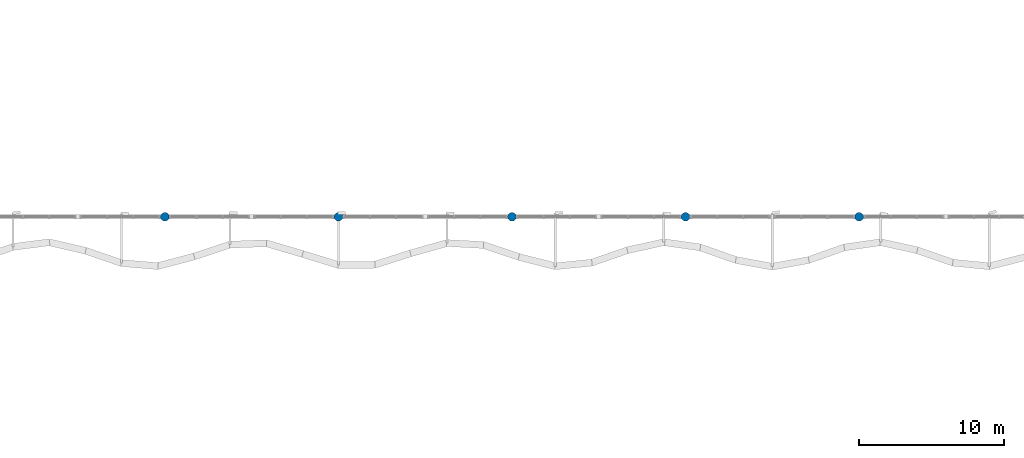
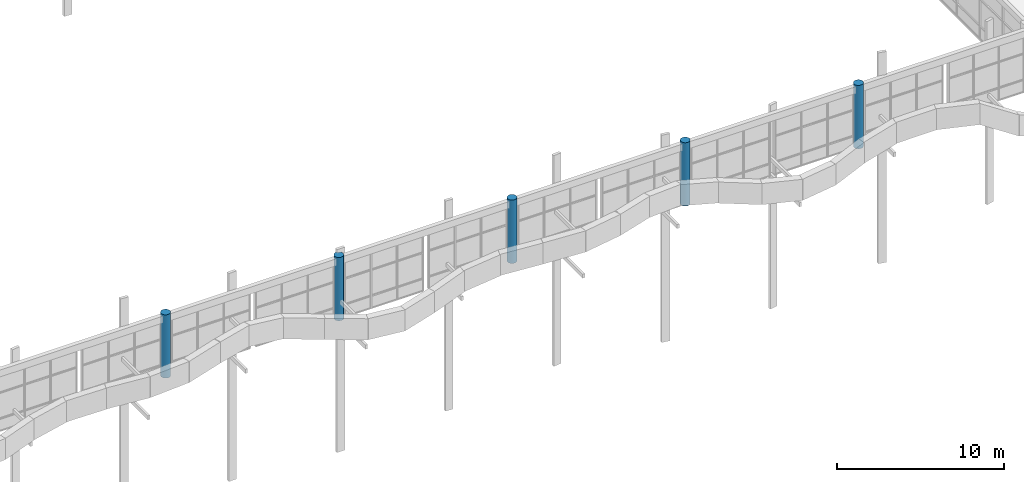
# One storey, part 3 of 63: 5 columns.
"""IFC4 building model written with IfcOpenShell, lengths in metres."""

import ifcopenshell
import ifcopenshell.guid

model = None  # the IFC model being written
_history = None  # IfcOwnerHistory: only IFC2X3 demands one
_inside = {}  # id of a spatial element -> (the spatial element, [elements in it])
_under = {}  # id of a project, library or spatial element -> (it, [spatial elements below it])
_declared = {}  # id of a project -> (the project, [libraries it declares])
_typed = {}  # id of a type object -> (the type object, [elements of that type])
_made_of = {}  # id of a material, layer set ... -> (it, [elements and type objects made of it])


def new_model(schema):
    """Start an empty IFC model of exactly this schema.

    Asked for "IFC4X3", IfcOpenShell would pick the latest addendum, in which some entities
    have other attributes; the version numbers below select the first issue.
    IFC2X3 requires an IfcOwnerHistory on every rooted entity: one is made here for all.
    """
    global model, _history
    if schema == "IFC4X3":
        model = ifcopenshell.file(schema_version=(4, 3, 0, 0))
    else:
        model = ifcopenshell.file(schema=schema)
    _inside.clear()
    _under.clear()
    _declared.clear()
    _typed.clear()
    _made_of.clear()
    _history = None
    if model.schema == "IFC2X3":
        org = make("IfcOrganization", Name="unknown")
        user = make(
            "IfcPersonAndOrganization",
            ThePerson=make("IfcPerson", FamilyName="unknown"),
            TheOrganization=org,
        )
        app = make(
            "IfcApplication",
            ApplicationDeveloper=org,
            Version="unknown",
            ApplicationFullName="unknown",
            ApplicationIdentifier="unknown",
        )
        _history = make(
            "IfcOwnerHistory",
            OwningUser=user,
            OwningApplication=app,
            ChangeAction="ADDED",
            CreationDate=0,
        )
    return model


def make(cls, **values):
    """One entity of the class cls with the attributes given. An attribute that is None is left unset."""
    return model.create_entity(
        cls, **{name: value for name, value in values.items() if value is not None}
    )


def rooted(cls, **values):
    """An entity with a GlobalId (a new one), such as an element, a storey or a relation."""
    return make(cls, GlobalId=ifcopenshell.guid.new(), OwnerHistory=_history, **values)


def si_unit(unit_type, name, prefix=None):
    """IfcSIUnit, for example si_unit("LENGTHUNIT", "METRE", prefix="MILLI")."""
    return make("IfcSIUnit", UnitType=unit_type, Prefix=prefix, Name=name)


def assignment(units):
    """IfcUnitAssignment: the units of a project."""
    return None if units is None else make("IfcUnitAssignment", Units=units)


def point(xyz):
    """IfcCartesianPoint."""
    return None if xyz is None else make("IfcCartesianPoint", Coordinates=xyz)


def direction(xyz):
    """IfcDirection."""
    return None if xyz is None else make("IfcDirection", DirectionRatios=xyz)


def frame(location, z_axis=None, x_axis=None):
    """IfcAxis2Placement3D, a coordinate frame: its origin and axes. An axis left out is left unset."""
    return make(
        "IfcAxis2Placement3D",
        Location=point(location),
        Axis=direction(z_axis),
        RefDirection=direction(x_axis),
    )


def frame_2d(location, x_axis=None):
    """IfcAxis2Placement2D, a coordinate frame in the plane: its origin and x axis."""
    return make(
        "IfcAxis2Placement2D", Location=point(location), RefDirection=direction(x_axis)
    )


def origin():
    """The frame at (0, 0, 0) with its axes left unset."""
    return frame((0.0, 0.0, 0.0))


def origin_2d():
    """The frame at (0, 0) in the plane with its x axis left unset."""
    return frame_2d((0.0, 0.0))


def place(relative_to, where):
    """IfcLocalPlacement: puts the frame where relative to a parent placement (None: the world)."""
    return make(
        "IfcLocalPlacement", PlacementRelTo=relative_to, RelativePlacement=where
    )


def context(
    kind, dimensions, precision=None, world=None, true_north=None, identifier=None
):
    """IfcGeometricRepresentationContext, for example the 3D "Model" context."""
    return make(
        "IfcGeometricRepresentationContext",
        ContextIdentifier=identifier,
        ContextType=kind,
        CoordinateSpaceDimension=dimensions,
        Precision=precision,
        WorldCoordinateSystem=world,
        TrueNorth=true_north,
    )


def subcontext(parent, identifier, kind, view, scale=None):
    """IfcGeometricRepresentationSubContext, for example "Body" below "Model"."""
    return make(
        "IfcGeometricRepresentationSubContext",
        ContextIdentifier=identifier,
        ContextType=kind,
        ParentContext=parent,
        TargetScale=scale,
        TargetView=view,
    )


def project(units=None, contexts=None):
    """IfcProject with its units and contexts."""
    return rooted(
        "IfcProject",
        Name="project",
        RepresentationContexts=contexts,
        UnitsInContext=assignment(units),
    )


def spatial(cls, under=None, at=None, **own):
    """A site, building, storey or space (cls), placed at a placement, below another one or the project."""
    s = rooted(cls, ObjectPlacement=at, **own)
    if under is not None:
        _under.setdefault(under.id(), (under, []))[1].append(s)
    return s


def profile(cls, at=None, kind="AREA", **sizes):
    """A parametric profile (cls). Its sizes go by their IFC names, for example OverallWidth=200.0."""
    return make(cls, ProfileType=kind, Position=at, **sizes)


def circle(**sizes):
    """IfcCircleProfileDef."""
    return profile("IfcCircleProfileDef", **sizes)


def extrude(swept, where, along, depth):
    """IfcExtrudedAreaSolid: the profile swept, set in the frame where, extruded along a direction by depth."""
    return make(
        "IfcExtrudedAreaSolid",
        SweptArea=swept,
        Position=where,
        ExtrudedDirection=direction(along),
        Depth=depth,
    )


def shape(context_of_items, identifier, shape_type, items):
    """IfcShapeRepresentation: the items that make up one representation, for example the "Body"."""
    return make(
        "IfcShapeRepresentation",
        ContextOfItems=context_of_items,
        RepresentationIdentifier=identifier,
        RepresentationType=shape_type,
        Items=items,
    )


def material(Name=None, Category=None):
    """IfcMaterial."""
    return make("IfcMaterial", Name=Name, Category=Category)


def material_profile(
    of_material, cross_section, Name=None, Category=None, Priority=None
):
    """IfcMaterialProfile: a cross section and its material."""
    return make(
        "IfcMaterialProfile",
        Name=Name,
        Material=of_material,
        Profile=cross_section,
        Priority=Priority,
        Category=Category,
    )


def profile_set(profiles, Name=None, composite=None):
    """IfcMaterialProfileSet."""
    return make(
        "IfcMaterialProfileSet",
        Name=Name,
        MaterialProfiles=profiles,
        CompositeProfile=composite,
    )


def made_of(thing, what):
    """Note that an element or type object is made of a material, layer set ...; save() writes the relation."""
    if what is not None:
        _made_of.setdefault(what.id(), (what, []))[1].append(thing)
    return thing


def type_object(cls, material=None, **own):
    """A type object (cls), such as IfcWallType, which elements share."""
    return made_of(rooted(cls, **own), material)


def element(
    cls,
    number,
    at=None,
    inside=None,
    cuts=None,
    type_object=None,
    material=None,
    context=None,
    identifier="Body",
    shape_type=None,
    held_by="IfcProductDefinitionShape",
    body=None,
    shapes=None,
    **own,
):
    """One element of the class cls, such as IfcWall. Its Tag is "e" and its number.

    at: its placement. inside: the storey or other place that contains it. cuts: it is an
    opening in that element (IfcRelVoidsElement). A single representation is given by context,
    identifier, shape_type and body (its items); several are given by shapes. held_by: the class
    of the entity that holds the representations. save() writes the other relations.
    """
    e = rooted(cls, Tag="e%d" % number, ObjectPlacement=at, **own)
    if body is not None:
        shapes = [shape(context, identifier, shape_type, body)]
    if shapes is not None:
        e.Representation = make(held_by, Representations=shapes)
    if inside is not None:
        _inside.setdefault(inside.id(), (inside, []))[1].append(e)
    if cuts is not None:
        rooted(
            "IfcRelVoidsElement", RelatingBuildingElement=cuts, RelatedOpeningElement=e
        )
    if type_object is not None:
        _typed.setdefault(type_object.id(), (type_object, []))[1].append(e)
    return made_of(e, material)


def aggregate(whole, parts):
    """IfcRelAggregates: a whole, such as a stair, and the parts it consists of."""
    return rooted("IfcRelAggregates", RelatingObject=whole, RelatedObjects=parts)


def save(model, path):
    """Write the relations noted so far, then the file.

    IfcRelAggregates (storeys below a building ...), IfcRelContainedInSpatialStructure (elements
    in a storey), IfcRelDefinesByType, IfcRelAssociatesMaterial and IfcRelDeclares: one each for
    every whole, place, type object, material and project.
    """
    for whole, parts in _under.values():
        aggregate(whole, parts)
    for where, things in _inside.values():
        rooted(
            "IfcRelContainedInSpatialStructure",
            RelatedElements=things,
            RelatingStructure=where,
        )
    for kind, things in _typed.values():
        rooted("IfcRelDefinesByType", RelatedObjects=things, RelatingType=kind)
    for what, things in _made_of.values():
        rooted("IfcRelAssociatesMaterial", RelatedObjects=things, RelatingMaterial=what)
    for by, libraries in _declared.values():
        rooted("IfcRelDeclares", RelatingContext=by, RelatedDefinitions=libraries)
    model.write(path)


model = new_model("IFC4")

# Units and contexts
model_context = context("Model", 3, precision=1e-05, world=origin(), true_north=direction((0.0, 1.0)))
body_context = subcontext(model_context, "Body", "Model", "MODEL_VIEW")
ifc_project = project(units=[si_unit("LENGTHUNIT", "METRE"), si_unit("AREAUNIT", "SQUARE_METRE"), si_unit("VOLUMEUNIT", "CUBIC_METRE"), si_unit("PLANEANGLEUNIT", "RADIAN"), si_unit("MASSUNIT", "GRAM", prefix="KILO")], contexts=[model_context])

# Site, building, storey
site_placement = place(None, origin())
site = spatial("IfcSite", under=ifc_project, at=site_placement, CompositionType="ELEMENT")
building_placement = place(site_placement, origin())
building = spatial("IfcBuilding", under=site, at=building_placement, Name="Keelwater Ferry Terminal", CompositionType="ELEMENT")
storey_placement = place(building_placement, frame((0.0, 0.0, 10.199951171875)))
storey = spatial("IfcBuildingStorey", under=building, at=storey_placement, Name="L02", CompositionType="ELEMENT", Elevation=10.199951171875)

# Columns
ifc_material = material(Name="Concrete C45/55", Category="concrete")
ifc_material_profile = material_profile(ifc_material, circle(Radius=0.300048828125, at=origin_2d()), Name="RC D600")
ifc_profile_set = profile_set([ifc_material_profile], Name="Concrete C45/55")
column_type = type_object("IfcColumnType", Name="C7 RC D600", PredefinedType="COLUMN", material=ifc_profile_set)
for number, where, z_axis, x_axis, name in (
    (1, (72.0, 42.0, 0.0), (0.0, 0.0, 1.0), (1.0, 0.0, 0.0), "Column CL-L02-0128"),
    (2, (84.0, 42.0, 0.0), (0.0, 0.0, 1.0), (1.0, 0.0, 0.0), "Column CL-L02-0141"),
    (3, (96.0, 42.0, 0.0), (0.0, 0.0, 1.0), (1.0, 0.0, 0.0), "Column CL-L02-0154"),
    (4, (108.0, 42.0, 0.0), (0.0, 0.0, 1.0), (1.0, 0.0, 0.0), "Column CL-L02-0167"),
    (5, (120.0, 42.0, 0.0), (0.0, 0.0, 1.0), (1.0, 0.0, 0.0), "Column CL-L02-0199"),
):
    element("IfcColumn", number, at=place(storey_placement, frame(where, z_axis=z_axis, x_axis=x_axis)), inside=storey, type_object=column_type, Name=name, PredefinedType="COLUMN", context=body_context, shape_type="SweptSolid", body=[
        extrude(circle(Radius=0.300048828125, at=origin_2d()), origin(), (0.0, 0.0, 1.0), 4.64013671875),
    ])

save(model, "model.ifc")
